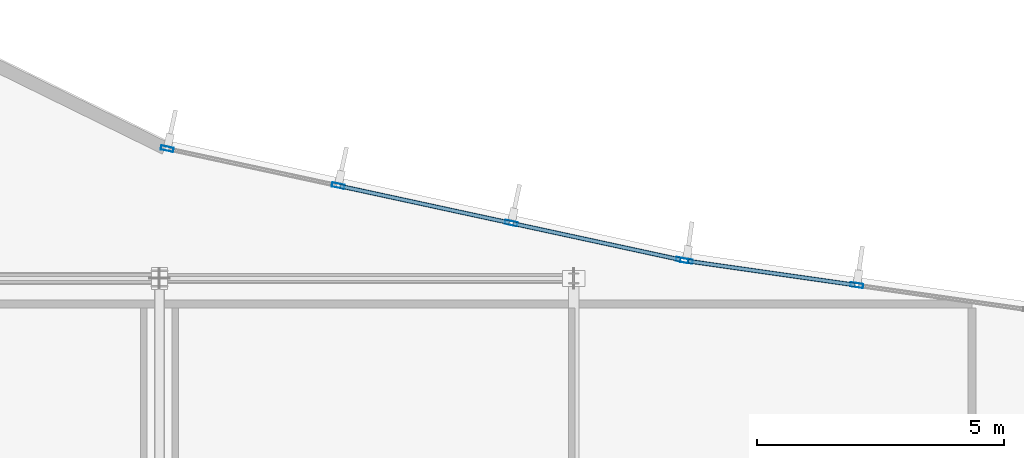
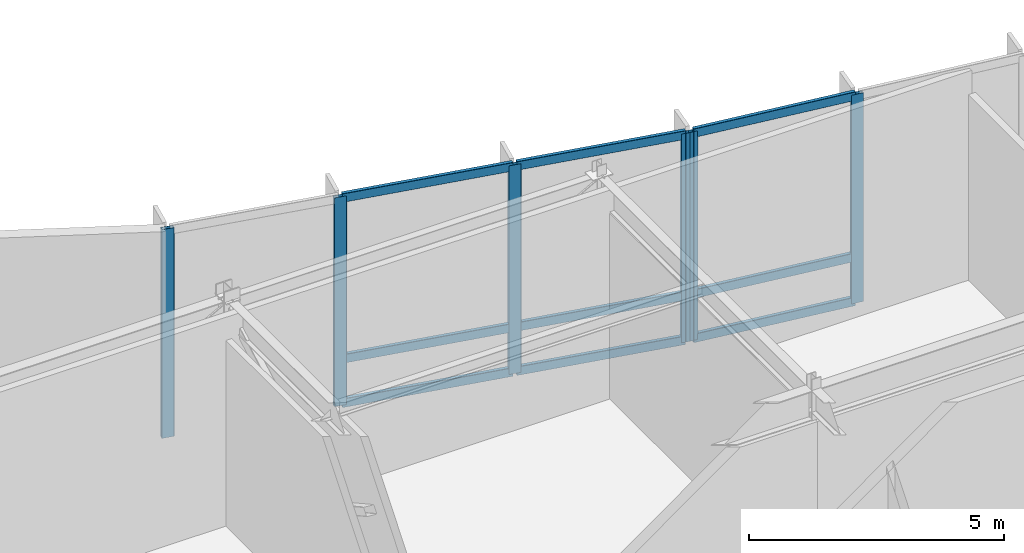
# One storey, part 6 of 14: 15 members, 2 elements without a shape of their own.
"""IFC4 building model written with IfcOpenShell, lengths in metres."""

from ifc_helpers import new_model, si_unit, direction, frame, origin, origin_2d, place, context, subcontext, project, spatial, hollow_rectangle, extrude, material, layer, layer_set, material_profile, profile_set, type_object, element, aggregate, save


model = new_model("IFC4")

# Units and contexts
model_context = context("Model", 3, precision=1e-05, world=origin(), true_north=direction((0.0, 1.0)))
body_context = subcontext(model_context, "Body", "Model", "MODEL_VIEW")
ifc_project = project(units=[si_unit("LENGTHUNIT", "METRE"), si_unit("AREAUNIT", "SQUARE_METRE"), si_unit("VOLUMEUNIT", "CUBIC_METRE"), si_unit("PLANEANGLEUNIT", "RADIAN"), si_unit("MASSUNIT", "GRAM", prefix="KILO")], contexts=[model_context])

# Site, building, storey
site_placement = place(None, origin())
site = spatial("IfcSite", under=ifc_project, at=site_placement, CompositionType="ELEMENT")
building_placement = place(site_placement, origin())
building = spatial("IfcBuilding", under=site, at=building_placement, Name="Varnakote Quay Hospital", CompositionType="ELEMENT")
storey_placement = place(building_placement, frame((0.0, 0.0, 303.949951171875)))
storey = spatial("IfcBuildingStorey", under=building, at=storey_placement, Name="L75", CompositionType="ELEMENT", Elevation=303.949951171875)

# Curtain wall, members
ifc_material_1 = material(Name="Anodised aluminium 6063-T6 Bronze", Category="aluminium")
ifc_layer = layer(ifc_material_1, 0.25)
ifc_layer_set = layer_set([ifc_layer], Name="Anodised aluminium 6063-T6 Bronze")
curtain_wall_type = type_object("IfcCurtainWallType", Name="CW-SYS-6", PredefinedType="NOTDEFINED", material=ifc_layer_set)
curtain_wall_1_placement = place(storey_placement, origin())
curtain_wall_1 = element("IfcCurtainWall", 1, at=curtain_wall_1_placement, inside=storey, type_object=curtain_wall_type, Name="L75 Unitised Bronze Curtain Wall 1", PredefinedType="NOTDEFINED")
ifc_material_2 = material(Name="Anodised aluminium 6063-T6 Bronze", Category="aluminium")
ifc_material_profile_1 = material_profile(ifc_material_2, hollow_rectangle(XDim=0.0849609375, YDim=0.260009765625, WallThickness=0.0048828125, InnerFilletRadius=0.0048828125, OuterFilletRadius=0.010009765625, at=origin_2d()), Name="CW-MULL-260x85")
ifc_profile_set_1 = profile_set([ifc_material_profile_1], Name="Anodised aluminium 6063-T6 Bronze")
member_type_1 = type_object("IfcMemberType", Name="CW-MULL-260x85", PredefinedType="MULLION", material=ifc_profile_set_1)
member_1_placement = place(storey_placement, frame((30.9423828125, 28.662109375, 0.0), z_axis=(0.0, 0.0, 1.0), x_axis=(-0.141571876691, -0.989927979062, 0.0)))
member_1 = element("IfcMember", 2, at=member_1_placement, type_object=member_type_1, Name="-6-L75-1 mullion 3", PredefinedType="MULLION", context=body_context, shape_type="SweptSolid", body=[
    extrude(hollow_rectangle(XDim=0.0849609375, YDim=0.260009765625, WallThickness=0.0048828125, InnerFilletRadius=0.0048828125, OuterFilletRadius=0.010009765625, at=origin_2d()), origin(), (0.0, 0.0, 1.0), 4.989990234375),
])
member_2_placement = place(storey_placement, frame((27.48583984375, 29.156494140625, 0.0), z_axis=(0.0, 0.0, 1.0), x_axis=(-0.141571876691, -0.989927979062, 0.0)))
member_2 = element("IfcMember", 3, at=member_2_placement, type_object=member_type_1, Name="-6-L75-1 mullion 4", PredefinedType="MULLION", context=body_context, shape_type="SweptSolid", body=[
    extrude(hollow_rectangle(XDim=0.0849609375, YDim=0.260009765625, WallThickness=0.0048828125, InnerFilletRadius=0.0048828125, OuterFilletRadius=0.010009765625, at=origin_2d()), origin(), (0.0, 0.0, 1.0), 4.989990234375),
])

curtain_wall_2_placement = place(storey_placement, origin())
curtain_wall_2 = element("IfcCurtainWall", 4, at=curtain_wall_2_placement, inside=storey, type_object=curtain_wall_type, Name="L75 Unitised Bronze Curtain Wall 2", PredefinedType="NOTDEFINED")
member_3_placement = place(storey_placement, frame((27.402099609375, 29.17138671875, 0.0), z_axis=(0.0, 0.0, 1.0), x_axis=(-0.211407815974, -0.97739794114, 0.0)))
member_3 = element("IfcMember", 5, at=member_3_placement, type_object=member_type_1, Name="-6-L75-2 mullion 1", PredefinedType="MULLION", context=body_context, shape_type="SweptSolid", body=[
    extrude(hollow_rectangle(XDim=0.0849609375, YDim=0.260009765625, WallThickness=0.0048828125, InnerFilletRadius=0.0048828125, OuterFilletRadius=0.010009765625, at=origin_2d()), origin(), (0.0, 0.0, 1.0), 4.989990234375),
])
member_4_placement = place(storey_placement, frame((23.93408203125, 29.92138671875, 0.0), z_axis=(0.0, 0.0, 1.0), x_axis=(-0.211407815974, -0.97739794114, 0.0)))
member_4 = element("IfcMember", 6, at=member_4_placement, type_object=member_type_1, Name="-6-L75-2 mullion 2", PredefinedType="MULLION", context=body_context, shape_type="SweptSolid", body=[
    extrude(hollow_rectangle(XDim=0.0849609375, YDim=0.260009765625, WallThickness=0.0048828125, InnerFilletRadius=0.0048828125, OuterFilletRadius=0.010009765625, at=origin_2d()), origin(), (0.0, 0.0, 1.0), 4.989990234375),
])
member_5_placement = place(storey_placement, frame((20.424560546875, 30.6806640625, 0.0), z_axis=(0.0, 0.0, 1.0), x_axis=(-0.211407815974, -0.97739794114, 0.0)))
member_5 = element("IfcMember", 7, at=member_5_placement, type_object=member_type_1, Name="-6-L75-2 mullion 3", PredefinedType="MULLION", context=body_context, shape_type="SweptSolid", body=[
    extrude(hollow_rectangle(XDim=0.0849609375, YDim=0.260009765625, WallThickness=0.0048828125, InnerFilletRadius=0.0048828125, OuterFilletRadius=0.010009765625, at=origin_2d()), origin(), (0.0, 0.0, 1.0), 4.989990234375),
])
member_6_placement = place(storey_placement, frame((16.95654296875, 31.4306640625, 0.0), z_axis=(0.0, 0.0, 1.0), x_axis=(-0.211407815974, -0.97739794114, 0.0)))
member_6 = element("IfcMember", 8, at=member_6_placement, type_object=member_type_1, Name="-6-L75-2 mullion 4", PredefinedType="MULLION", context=body_context, shape_type="SweptSolid", body=[
    extrude(hollow_rectangle(XDim=0.0849609375, YDim=0.260009765625, WallThickness=0.0048828125, InnerFilletRadius=0.0048828125, OuterFilletRadius=0.010009765625, at=origin_2d()), origin(), (0.0, 0.0, 1.0), 4.989990234375),
])

# Member
ifc_material_3 = material(Name="Anodised aluminium 6063-T6 Bronze", Category="aluminium")
ifc_material_profile_2 = material_profile(ifc_material_3, hollow_rectangle(XDim=0.0849609375, YDim=0.2099609375, WallThickness=0.00439453125, InnerFilletRadius=0.00439453125, OuterFilletRadius=0.009033203125, at=origin_2d()), Name="CW-TRAN-210x85")
ifc_profile_set_2 = profile_set([ifc_material_profile_2], Name="Anodised aluminium 6063-T6 Bronze")
member_type_2 = type_object("IfcMemberType", Name="CW-TRAN-210x85", PredefinedType="USERDEFINED", material=ifc_profile_set_2)
member_7_placement = place(storey_placement, frame((30.900390625, 28.66796875, 0.04248046875), z_axis=(-0.989923679266, 0.141601939354, 0.0), x_axis=(-0.141601939354, -0.989923679266, 0.0)))
member_7 = element("IfcMember", 9, at=member_7_placement, type_object=member_type_2, Name="-6-L75-1 transom 3.1", ObjectType="TRANSOM", PredefinedType="USERDEFINED", context=body_context, shape_type="SweptSolid", body=[
    extrude(hollow_rectangle(XDim=0.0849609375, YDim=0.2099609375, WallThickness=0.00439453125, InnerFilletRadius=0.00439453125, OuterFilletRadius=0.009033203125, at=origin_2d()), origin(), (0.0, 0.0, 1.0), 3.406982421875),
])

member_8_placement = place(storey_placement, frame((30.900390625, 28.66796875, 1.10009765625), z_axis=(-0.989923679266, 0.141601939354, 0.0), x_axis=(-0.141601939354, -0.989923679266, 0.0)))
member_8 = element("IfcMember", 10, at=member_8_placement, type_object=member_type_2, Name="-6-L75-1 transom 3.2", ObjectType="TRANSOM", PredefinedType="USERDEFINED", context=body_context, shape_type="SweptSolid", body=[
    extrude(hollow_rectangle(XDim=0.0849609375, YDim=0.2099609375, WallThickness=0.00439453125, InnerFilletRadius=0.00439453125, OuterFilletRadius=0.009033203125, at=origin_2d()), origin(), (0.0, 0.0, 1.0), 3.406982421875),
])

member_9_placement = place(storey_placement, frame((30.900390625, 28.66796875, 4.947509765625), z_axis=(-0.989923679266, 0.141601939354, 0.0), x_axis=(-0.141601939354, -0.989923679266, 0.0)))
member_9 = element("IfcMember", 11, at=member_9_placement, type_object=member_type_2, Name="-6-L75-1 transom 3.3", ObjectType="TRANSOM", PredefinedType="USERDEFINED", context=body_context, shape_type="SweptSolid", body=[
    extrude(hollow_rectangle(XDim=0.0849609375, YDim=0.2099609375, WallThickness=0.00439453125, InnerFilletRadius=0.00439453125, OuterFilletRadius=0.009033203125, at=origin_2d()), origin(), (0.0, 0.0, 1.0), 3.406982421875),
])

aggregate(curtain_wall_1, [member_1, member_2, member_7, member_8, member_9])

member_10_placement = place(storey_placement, frame((27.360595703125, 29.180419921875, 0.04248046875), z_axis=(-0.977397239847, 0.211411058226, 0.0), x_axis=(-0.211411058226, -0.977397239847, 0.0)))
member_10 = element("IfcMember", 12, at=member_10_placement, type_object=member_type_2, Name="-6-L75-2 transom 1.1", ObjectType="TRANSOM", PredefinedType="USERDEFINED", context=body_context, shape_type="SweptSolid", body=[
    extrude(hollow_rectangle(XDim=0.0849609375, YDim=0.2099609375, WallThickness=0.00439453125, InnerFilletRadius=0.00439453125, OuterFilletRadius=0.009033203125, at=origin_2d()), origin(), (0.0, 0.0, 1.0), 3.46337890625),
])

member_11_placement = place(storey_placement, frame((27.360595703125, 29.180419921875, 1.10009765625), z_axis=(-0.977397239847, 0.211411058226, 0.0), x_axis=(-0.211411058226, -0.977397239847, 0.0)))
member_11 = element("IfcMember", 13, at=member_11_placement, type_object=member_type_2, Name="-6-L75-2 transom 1.2", ObjectType="TRANSOM", PredefinedType="USERDEFINED", context=body_context, shape_type="SweptSolid", body=[
    extrude(hollow_rectangle(XDim=0.0849609375, YDim=0.2099609375, WallThickness=0.00439453125, InnerFilletRadius=0.00439453125, OuterFilletRadius=0.009033203125, at=origin_2d()), origin(), (0.0, 0.0, 1.0), 3.46337890625),
])

member_12_placement = place(storey_placement, frame((27.360595703125, 29.180419921875, 4.947509765625), z_axis=(-0.977397239847, 0.211411058226, 0.0), x_axis=(-0.211411058226, -0.977397239847, 0.0)))
member_12 = element("IfcMember", 14, at=member_12_placement, type_object=member_type_2, Name="-6-L75-2 transom 1.3", ObjectType="TRANSOM", PredefinedType="USERDEFINED", context=body_context, shape_type="SweptSolid", body=[
    extrude(hollow_rectangle(XDim=0.0849609375, YDim=0.2099609375, WallThickness=0.00439453125, InnerFilletRadius=0.00439453125, OuterFilletRadius=0.009033203125, at=origin_2d()), origin(), (0.0, 0.0, 1.0), 3.46337890625),
])

member_13_placement = place(storey_placement, frame((23.892578125, 29.930419921875, 0.04248046875), z_axis=(-0.977393944542, 0.211426292528, 0.0), x_axis=(-0.211426292528, -0.977393944542, 0.0)))
member_13 = element("IfcMember", 15, at=member_13_placement, type_object=member_type_2, Name="-6-L75-2 transom 2.1", ObjectType="TRANSOM", PredefinedType="USERDEFINED", context=body_context, shape_type="SweptSolid", body=[
    extrude(hollow_rectangle(XDim=0.0849609375, YDim=0.2099609375, WallThickness=0.00439453125, InnerFilletRadius=0.00439453125, OuterFilletRadius=0.009033203125, at=origin_2d()), origin(), (0.0, 0.0, 1.0), 3.505859375),
])

member_14_placement = place(storey_placement, frame((23.892578125, 29.930419921875, 1.10009765625), z_axis=(-0.977393944542, 0.211426292528, 0.0), x_axis=(-0.211426292528, -0.977393944542, 0.0)))
member_14 = element("IfcMember", 16, at=member_14_placement, type_object=member_type_2, Name="-6-L75-2 transom 2.2", ObjectType="TRANSOM", PredefinedType="USERDEFINED", context=body_context, shape_type="SweptSolid", body=[
    extrude(hollow_rectangle(XDim=0.0849609375, YDim=0.2099609375, WallThickness=0.00439453125, InnerFilletRadius=0.00439453125, OuterFilletRadius=0.009033203125, at=origin_2d()), origin(), (0.0, 0.0, 1.0), 3.505859375),
])

member_15_placement = place(storey_placement, frame((23.892578125, 29.930419921875, 4.947509765625), z_axis=(-0.977393944542, 0.211426292528, 0.0), x_axis=(-0.211426292528, -0.977393944542, 0.0)))
member_15 = element("IfcMember", 17, at=member_15_placement, type_object=member_type_2, Name="-6-L75-2 transom 2.3", ObjectType="TRANSOM", PredefinedType="USERDEFINED", context=body_context, shape_type="SweptSolid", body=[
    extrude(hollow_rectangle(XDim=0.0849609375, YDim=0.2099609375, WallThickness=0.00439453125, InnerFilletRadius=0.00439453125, OuterFilletRadius=0.009033203125, at=origin_2d()), origin(), (0.0, 0.0, 1.0), 3.505859375),
])

aggregate(curtain_wall_2, [member_3, member_4, member_5, member_6, member_10, member_11, member_12, member_13, member_14, member_15])

save(model, "model.ifc")
